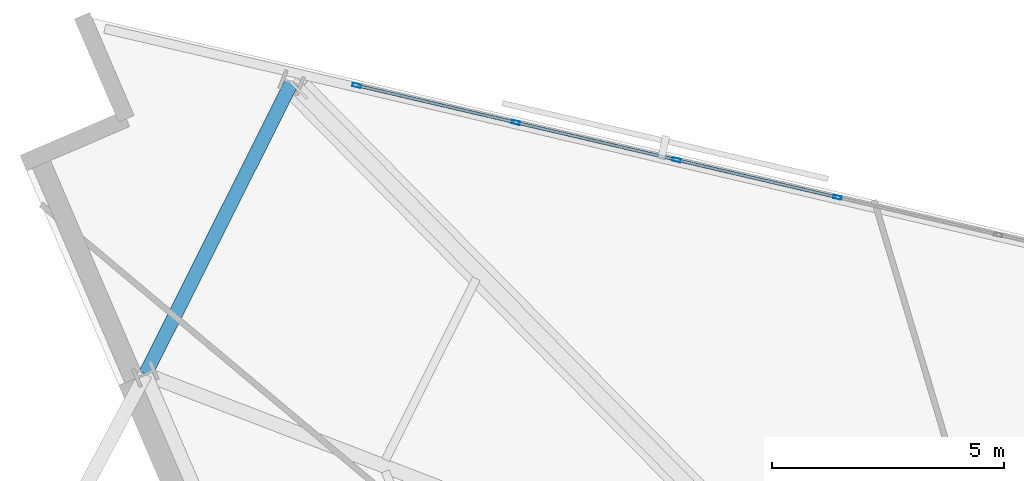
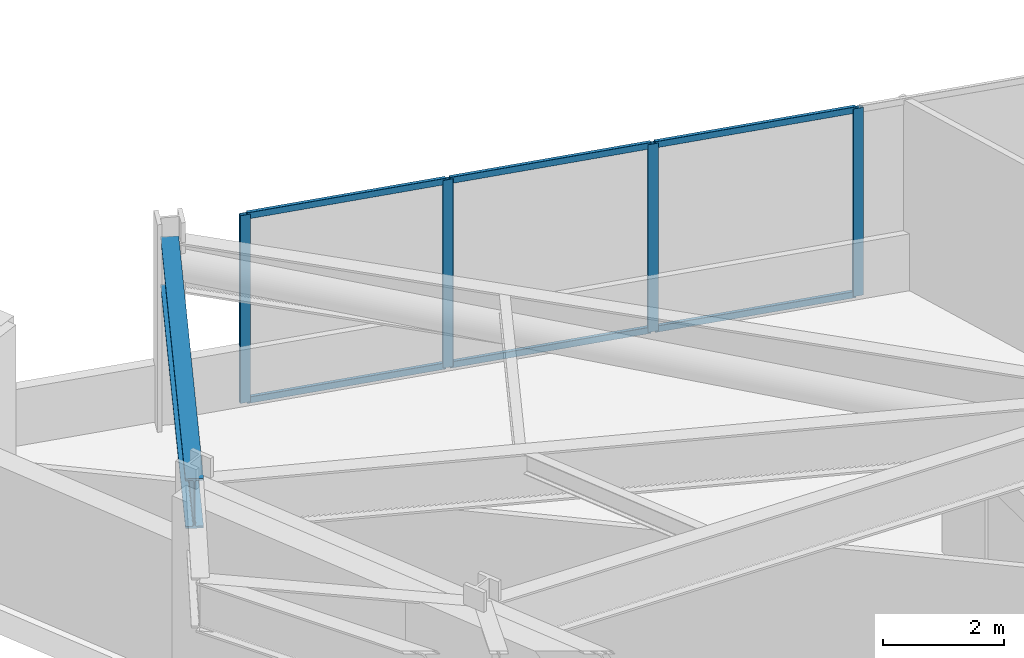
# One storey, part 6 of 14: 10 members, 1 beam, 1 element without a shape of its own.
"""IFC4 building model written with IfcOpenShell, lengths in metres."""

from ifc_helpers import new_model, si_unit, direction, frame, origin, origin_2d, place, context, subcontext, project, spatial, hollow_rectangle, i_section, extrude, material, material_profile, profile_set, type_object, element, aggregate, save


model = new_model("IFC4")

# Units and contexts
model_context = context("Model", 3, precision=1e-05, world=origin(), true_north=direction((0.0, 1.0)))
body_context = subcontext(model_context, "Body", "Model", "MODEL_VIEW")
ifc_project = project(units=[si_unit("LENGTHUNIT", "METRE"), si_unit("AREAUNIT", "SQUARE_METRE"), si_unit("VOLUMEUNIT", "CUBIC_METRE"), si_unit("PLANEANGLEUNIT", "RADIAN"), si_unit("MASSUNIT", "GRAM", prefix="KILO")], contexts=[model_context])

# Site, building, storey
site_placement = place(None, origin())
site = spatial("IfcSite", under=ifc_project, at=site_placement, CompositionType="ELEMENT")
building_placement = place(site_placement, origin())
building = spatial("IfcBuilding", under=site, at=building_placement, Name="Narakoshi Arena Tower", CompositionType="ELEMENT")
storey_placement = place(building_placement, frame((0.0, 0.0, 196.699951171875)))
storey = spatial("IfcBuildingStorey", under=building, at=storey_placement, Name="L53", CompositionType="ELEMENT", Elevation=196.699951171875)

# Beam
ifc_material_1 = material(Name="Structural steel S460ML", Category="steel")
ifc_material_profile_1 = material_profile(ifc_material_1, i_section(OverallWidth=0.302001953125, OverallDepth=1.008056640625, WebThickness=0.02099609375, FlangeThickness=0.0400390625, FilletRadius=0.030029296875, at=origin_2d()), Name="HE1000M")
ifc_profile_set_1 = profile_set([ifc_material_profile_1], Name="Structural steel S460ML")
beam_type = type_object("IfcBeamType", Name="BM-XFER-1000", PredefinedType="BEAM", material=ifc_profile_set_1)
beam_placement = place(storey_placement, frame((60.12158203125, 68.55126953125, 3.296142578125), z_axis=(-0.448312643015, -0.893876822674, 0.0), x_axis=(0.893876822674, -0.448312643015, 0.0)))
element("IfcBeam", 1, at=beam_placement, inside=storey, type_object=beam_type, Name="L53 Perimeter Transfer Ring Girder 07", PredefinedType="BEAM", context=body_context, shape_type="SweptSolid", body=[
    extrude(i_section(OverallWidth=0.302001953125, OverallDepth=1.008056640625, WebThickness=0.02099609375, FlangeThickness=0.0400390625, FilletRadius=0.030029296875, at=origin_2d()), origin(), (0.0, 0.0, 1.0), 7.017333984375),
])

# Curtain wall, members
ifc_material_2 = material(Name="Anodised bronze aluminium 6063-T6", Category="aluminium")
curtain_wall_type = type_object("IfcCurtainWallType", Name="CW-HYP-MID", PredefinedType="NOTDEFINED", material=ifc_material_2)
curtain_wall_placement = place(storey_placement, origin())
curtain_wall = element("IfcCurtainWall", 2, at=curtain_wall_placement, inside=storey, type_object=curtain_wall_type, Name="L53 Folded Hypotenuse Curtain Wall 2-1", PredefinedType="NOTDEFINED")
ifc_material_profile_2 = material_profile(ifc_material_2, hollow_rectangle(XDim=0.074951171875, YDim=0.179931640625, WallThickness=0.00390625, OuterFilletRadius=0.0048828125, at=origin_2d()), Name="MUL180x75x4")
ifc_profile_set_2 = profile_set([ifc_material_profile_2], Name="Anodised bronze aluminium 6063-T6")
member_type_1 = type_object("IfcMemberType", Name="MEM-MUL-180", PredefinedType="MULLION", material=ifc_profile_set_2)
member_1_placement = place(storey_placement, frame((71.869873046875, 66.08349609375, 0.0), z_axis=(0.0, 0.0, 1.0), x_axis=(-0.22672122121, -0.973959695189, 0.0)))
member_1 = element("IfcMember", 3, at=member_1_placement, type_object=member_type_1, Name="CW-02 mullion 5", PredefinedType="MULLION", context=body_context, shape_type="SweptSolid", body=[
    extrude(hollow_rectangle(XDim=0.074951171875, YDim=0.179931640625, WallThickness=0.00390625, OuterFilletRadius=0.0048828125, at=origin_2d()), origin(), (0.0, 0.0, 1.0), 3.800048828125),
])
member_2_placement = place(storey_placement, frame((68.408935546875, 66.88916015625, 0.0), z_axis=(0.0, 0.0, 1.0), x_axis=(-0.22672122121, -0.973959695189, 0.0)))
member_2 = element("IfcMember", 4, at=member_2_placement, type_object=member_type_1, Name="CW-02 mullion 6", PredefinedType="MULLION", context=body_context, shape_type="SweptSolid", body=[
    extrude(hollow_rectangle(XDim=0.074951171875, YDim=0.179931640625, WallThickness=0.00390625, OuterFilletRadius=0.0048828125, at=origin_2d()), origin(), (0.0, 0.0, 1.0), 3.800048828125),
])
member_3_placement = place(storey_placement, frame((64.947998046875, 67.69482421875, 0.0), z_axis=(0.0, 0.0, 1.0), x_axis=(-0.22672122121, -0.973959695189, 0.0)))
member_3 = element("IfcMember", 5, at=member_3_placement, type_object=member_type_1, Name="CW-02 mullion 7", PredefinedType="MULLION", context=body_context, shape_type="SweptSolid", body=[
    extrude(hollow_rectangle(XDim=0.074951171875, YDim=0.179931640625, WallThickness=0.00390625, OuterFilletRadius=0.0048828125, at=origin_2d()), origin(), (0.0, 0.0, 1.0), 3.800048828125),
])
member_4_placement = place(storey_placement, frame((61.523681640625, 68.491943359375, 0.0), z_axis=(0.0, 0.0, 1.0), x_axis=(-0.22672122121, -0.973959695189, 0.0)))
member_4 = element("IfcMember", 6, at=member_4_placement, type_object=member_type_1, Name="CW-02 mullion 8", PredefinedType="MULLION", context=body_context, shape_type="SweptSolid", body=[
    extrude(hollow_rectangle(XDim=0.074951171875, YDim=0.179931640625, WallThickness=0.00390625, OuterFilletRadius=0.0048828125, at=origin_2d()), origin(), (0.0, 0.0, 1.0), 3.800048828125),
])
ifc_material_profile_3 = material_profile(ifc_material_2, hollow_rectangle(XDim=0.06494140625, YDim=0.1298828125, WallThickness=0.00390625, OuterFilletRadius=0.0048828125, at=origin_2d()), Name="TRN130x65x4")
ifc_profile_set_3 = profile_set([ifc_material_profile_3], Name="Anodised bronze aluminium 6063-T6")
member_type_2 = type_object("IfcMemberType", Name="MEM-TRN-130", PredefinedType="USERDEFINED", material=ifc_profile_set_3)
member_5_placement = place(storey_placement, frame((71.833251953125, 66.092041015625, 0.032470703125), z_axis=(-0.973961188664, 0.226714805375, 0.0), x_axis=(-0.226714805375, -0.973961188664, 0.0)))
member_5 = element("IfcMember", 7, at=member_5_placement, type_object=member_type_2, Name="CW-02 transom 5.1", ObjectType="TRANSOM", PredefinedType="USERDEFINED", context=body_context, shape_type="SweptSolid", body=[
    extrude(hollow_rectangle(XDim=0.06494140625, YDim=0.1298828125, WallThickness=0.00390625, OuterFilletRadius=0.0048828125, at=origin_2d()), origin(), (0.0, 0.0, 1.0), 3.478271484375),
])
member_6_placement = place(storey_placement, frame((71.833251953125, 66.092041015625, 3.767578125), z_axis=(-0.973961188664, 0.226714805375, 0.0), x_axis=(-0.226714805375, -0.973961188664, 0.0)))
member_6 = element("IfcMember", 8, at=member_6_placement, type_object=member_type_2, Name="CW-02 transom 5.2", ObjectType="TRANSOM", PredefinedType="USERDEFINED", context=body_context, shape_type="SweptSolid", body=[
    extrude(hollow_rectangle(XDim=0.06494140625, YDim=0.1298828125, WallThickness=0.00390625, OuterFilletRadius=0.0048828125, at=origin_2d()), origin(), (0.0, 0.0, 1.0), 3.478271484375),
])
member_7_placement = place(storey_placement, frame((68.372314453125, 66.897705078125, 0.032470703125), z_axis=(-0.973961188664, 0.226714805375, 0.0), x_axis=(-0.226714805375, -0.973961188664, 0.0)))
member_7 = element("IfcMember", 9, at=member_7_placement, type_object=member_type_2, Name="CW-02 transom 6.1", ObjectType="TRANSOM", PredefinedType="USERDEFINED", context=body_context, shape_type="SweptSolid", body=[
    extrude(hollow_rectangle(XDim=0.06494140625, YDim=0.1298828125, WallThickness=0.00390625, OuterFilletRadius=0.0048828125, at=origin_2d()), origin(), (0.0, 0.0, 1.0), 3.478271484375),
])
member_8_placement = place(storey_placement, frame((68.372314453125, 66.897705078125, 3.767578125), z_axis=(-0.973961188664, 0.226714805375, 0.0), x_axis=(-0.226714805375, -0.973961188664, 0.0)))
member_8 = element("IfcMember", 10, at=member_8_placement, type_object=member_type_2, Name="CW-02 transom 6.2", ObjectType="TRANSOM", PredefinedType="USERDEFINED", context=body_context, shape_type="SweptSolid", body=[
    extrude(hollow_rectangle(XDim=0.06494140625, YDim=0.1298828125, WallThickness=0.00390625, OuterFilletRadius=0.0048828125, at=origin_2d()), origin(), (0.0, 0.0, 1.0), 3.478271484375),
])
member_9_placement = place(storey_placement, frame((64.91162109375, 67.703369140625, 0.032470703125), z_axis=(-0.973966145101, 0.22669351159, 0.0), x_axis=(-0.22669351159, -0.973966145101, 0.0)))
member_9 = element("IfcMember", 11, at=member_9_placement, type_object=member_type_2, Name="CW-02 transom 7.1", ObjectType="TRANSOM", PredefinedType="USERDEFINED", context=body_context, shape_type="SweptSolid", body=[
    extrude(hollow_rectangle(XDim=0.06494140625, YDim=0.1298828125, WallThickness=0.00390625, OuterFilletRadius=0.0048828125, at=origin_2d()), origin(), (0.0, 0.0, 1.0), 3.44091796875),
])
member_10_placement = place(storey_placement, frame((64.91162109375, 67.703369140625, 3.767578125), z_axis=(-0.973966145101, 0.22669351159, 0.0), x_axis=(-0.22669351159, -0.973966145101, 0.0)))
member_10 = element("IfcMember", 12, at=member_10_placement, type_object=member_type_2, Name="CW-02 transom 7.2", ObjectType="TRANSOM", PredefinedType="USERDEFINED", context=body_context, shape_type="SweptSolid", body=[
    extrude(hollow_rectangle(XDim=0.06494140625, YDim=0.1298828125, WallThickness=0.00390625, OuterFilletRadius=0.0048828125, at=origin_2d()), origin(), (0.0, 0.0, 1.0), 3.44091796875),
])
aggregate(curtain_wall, [member_1, member_2, member_3, member_4, member_5, member_6, member_7, member_8, member_9, member_10])

save(model, "model.ifc")
